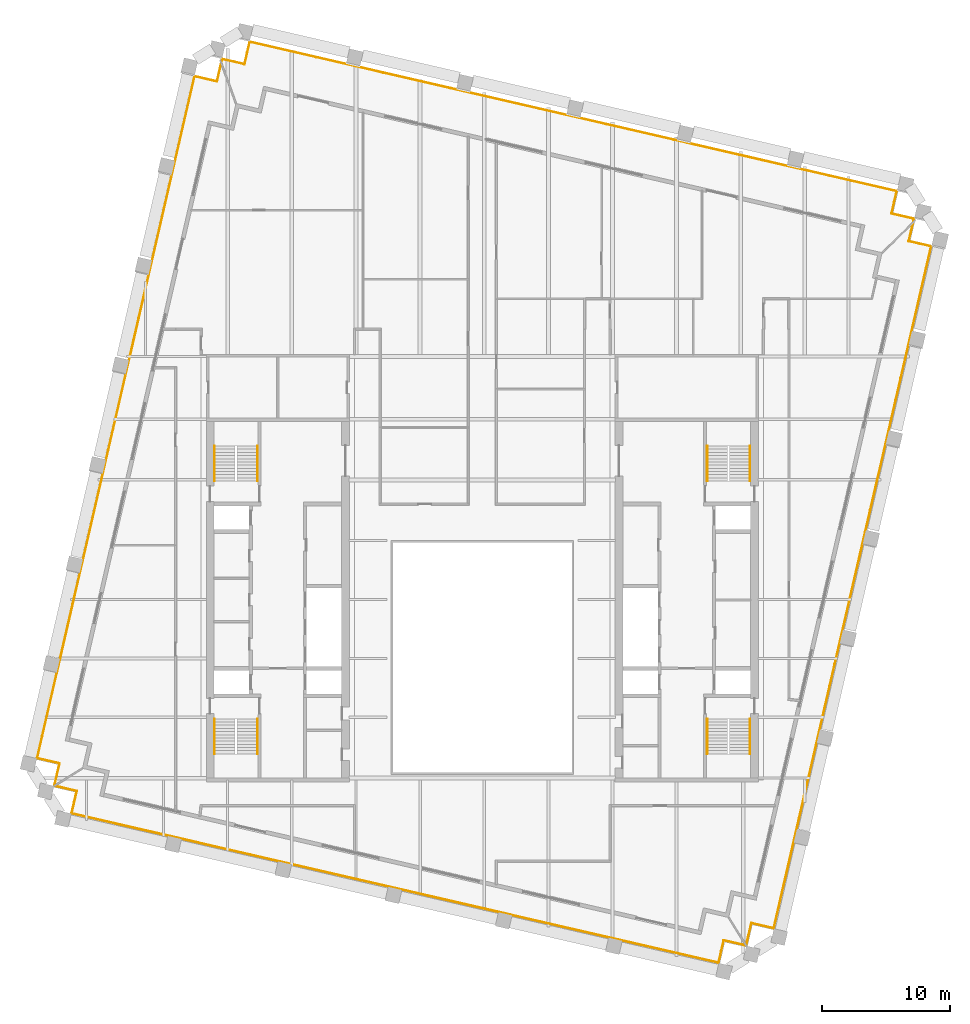
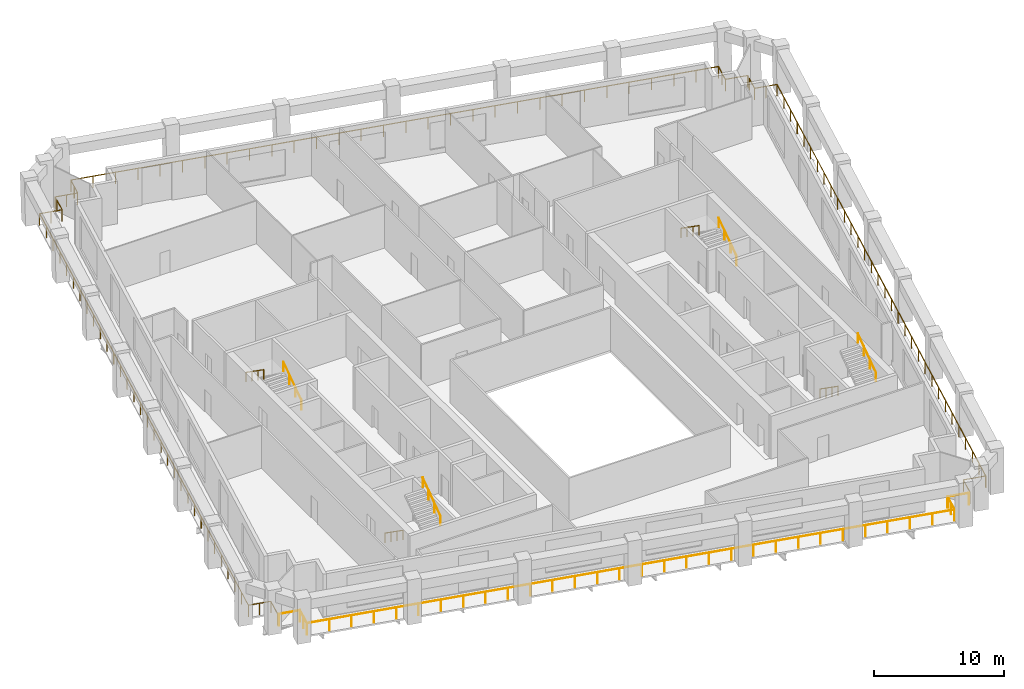
# One storey, part 10 of 10: 12 railings.
"""IFC4 building model written with IfcOpenShell, lengths in metres."""

from ifc_helpers import new_model, si_unit, direction, frame, origin, origin_2d, place, context, subcontext, project, spatial, circle, extrude, material, type_object, element, save


model = new_model("IFC4")

# Units and contexts
model_context = context("Model", 3, precision=1e-05, world=origin(), true_north=direction((0.0, 1.0)))
body_context = subcontext(model_context, "Body", "Model", "MODEL_VIEW")
ifc_project = project(units=[si_unit("LENGTHUNIT", "METRE"), si_unit("AREAUNIT", "SQUARE_METRE"), si_unit("VOLUMEUNIT", "CUBIC_METRE"), si_unit("PLANEANGLEUNIT", "RADIAN"), si_unit("MASSUNIT", "GRAM", prefix="KILO")], contexts=[model_context])

# Site, building, storey
site_placement = place(None, origin())
site = spatial("IfcSite", under=ifc_project, at=site_placement, CompositionType="ELEMENT")
building_placement = place(site_placement, origin())
building = spatial("IfcBuilding", under=site, at=building_placement, Name="Ogive Exchange Tower", CompositionType="ELEMENT")
storey_placement = place(building_placement, frame((0.0, 0.0, 251.39990234375)))
storey = spatial("IfcBuildingStorey", under=building, at=storey_placement, Name="L54", CompositionType="ELEMENT", Elevation=251.39990234375)

# Railings
ifc_material_1 = material(Name="Stainless steel 316", Category="steel")
railing_type_1 = type_object("IfcRailingType", Name="Guard 1100 stainless steel and glass", PredefinedType="GUARDRAIL", material=ifc_material_1)
railing_1_placement = place(storey_placement, frame((20.560546875, -15.527099609375, -0.0498046875)))
element("IfcRailing", 1, at=railing_1_placement, inside=storey, type_object=railing_type_1, Name="Loggia guard 1", PredefinedType="GUARDRAIL", context=body_context, shape_type="SweptSolid", body=[
    extrude(circle(Radius=0.02392578125, at=origin_2d()), frame((0.0, 0.0, 1.076171875), z_axis=(-0.974396013545, 0.224838628327, 0.0), x_axis=(-0.224838628327, -0.974396013545, 0.0)), (0.0, 0.0, 1.0), 1.7080078125),
    extrude(circle(Radius=0.02392578125, at=origin_2d()), frame((-1.664306640625, 0.384033203125, 1.076171875), z_axis=(-0.224879318197, -0.974386623598, 0.0), x_axis=(0.974386623598, -0.224879318197, 0.0)), (0.0, 0.0, 1.0), 1.800048828125),
    extrude(circle(Radius=0.02392578125, at=origin_2d()), frame((-2.069091796875, -1.369873046875, 1.076171875), z_axis=(-0.974370126852, 0.224950785504, 0.0), x_axis=(-0.224950785504, -0.974370126852, 0.0)), (0.0, 0.0, 1.0), 51.960205078125),
    extrude(circle(Radius=0.02392578125, at=origin_2d()), frame((-52.697509765625, 10.318603515625, 1.076171875), z_axis=(0.225008086135, 0.974356896201, 0.0), x_axis=(-0.974356896201, 0.225008086135, 0.0)), (0.0, 0.0, 1.0), 1.800048828125),
    extrude(circle(Radius=0.02392578125, at=origin_2d()), frame((-52.29248046875, 12.072509765625, 1.076171875), z_axis=(-0.974364690374, 0.224974332206, 0.0), x_axis=(-0.224974332206, -0.974364690374, 0.0)), (0.0, 0.0, 1.0), 1.7080078125),
    extrude(circle(Radius=0.02099609375, at=origin_2d()), origin(), (0.0, 0.0, 1.0), 1.052001953125),
    extrude(circle(Radius=0.02099609375, at=origin_2d()), frame((-1.664306640625, 0.384033203125, 0.0)), (0.0, 0.0, 1.0), 1.052001953125),
    extrude(circle(Radius=0.02099609375, at=origin_2d()), frame((-1.86669921875, -0.492919921875, 0.0)), (0.0, 0.0, 1.0), 1.052001953125),
    extrude(circle(Radius=0.02099609375, at=origin_2d()), frame((-2.069091796875, -1.369873046875, 0.0)), (0.0, 0.0, 1.0), 1.052001953125),
    extrude(circle(Radius=0.02099609375, at=origin_2d()), frame((-3.81494140625, -0.966796875, 0.0)), (0.0, 0.0, 1.0), 1.052001953125),
    extrude(circle(Radius=0.02099609375, at=origin_2d()), frame((-5.560791015625, -0.563720703125, 0.0)), (0.0, 0.0, 1.0), 1.052001953125),
    extrude(circle(Radius=0.02099609375, at=origin_2d()), frame((-7.306396484375, -0.16064453125, 0.0)), (0.0, 0.0, 1.0), 1.052001953125),
    extrude(circle(Radius=0.02099609375, at=origin_2d()), frame((-9.05224609375, 0.242431640625, 0.0)), (0.0, 0.0, 1.0), 1.052001953125),
    extrude(circle(Radius=0.02099609375, at=origin_2d()), frame((-10.798095703125, 0.645263671875, 0.0)), (0.0, 0.0, 1.0), 1.052001953125),
    extrude(circle(Radius=0.02099609375, at=origin_2d()), frame((-12.5439453125, 1.04833984375, 0.0)), (0.0, 0.0, 1.0), 1.052001953125),
    extrude(circle(Radius=0.02099609375, at=origin_2d()), frame((-14.289794921875, 1.451416015625, 0.0)), (0.0, 0.0, 1.0), 1.052001953125),
    extrude(circle(Radius=0.02099609375, at=origin_2d()), frame((-16.03564453125, 1.8544921875, 0.0)), (0.0, 0.0, 1.0), 1.052001953125),
    extrude(circle(Radius=0.02099609375, at=origin_2d()), frame((-17.78125, 2.257568359375, 0.0)), (0.0, 0.0, 1.0), 1.052001953125),
    extrude(circle(Radius=0.02099609375, at=origin_2d()), frame((-19.527099609375, 2.66064453125, 0.0)), (0.0, 0.0, 1.0), 1.052001953125),
    extrude(circle(Radius=0.02099609375, at=origin_2d()), frame((-21.27294921875, 3.063720703125, 0.0)), (0.0, 0.0, 1.0), 1.052001953125),
    extrude(circle(Radius=0.02099609375, at=origin_2d()), frame((-23.018798828125, 3.466796875, 0.0)), (0.0, 0.0, 1.0), 1.052001953125),
    extrude(circle(Radius=0.02099609375, at=origin_2d()), frame((-24.7646484375, 3.869873046875, 0.0)), (0.0, 0.0, 1.0), 1.052001953125),
    extrude(circle(Radius=0.02099609375, at=origin_2d()), frame((-26.510498046875, 4.27294921875, 0.0)), (0.0, 0.0, 1.0), 1.052001953125),
    extrude(circle(Radius=0.02099609375, at=origin_2d()), frame((-28.256103515625, 4.67578125, 0.0)), (0.0, 0.0, 1.0), 1.052001953125),
    extrude(circle(Radius=0.02099609375, at=origin_2d()), frame((-30.001953125, 5.078857421875, 0.0)), (0.0, 0.0, 1.0), 1.052001953125),
    extrude(circle(Radius=0.02099609375, at=origin_2d()), frame((-31.747802734375, 5.48193359375, 0.0)), (0.0, 0.0, 1.0), 1.052001953125),
    extrude(circle(Radius=0.02099609375, at=origin_2d()), frame((-33.49365234375, 5.885009765625, 0.0)), (0.0, 0.0, 1.0), 1.052001953125),
    extrude(circle(Radius=0.02099609375, at=origin_2d()), frame((-35.239501953125, 6.2880859375, 0.0)), (0.0, 0.0, 1.0), 1.052001953125),
    extrude(circle(Radius=0.02099609375, at=origin_2d()), frame((-36.9853515625, 6.691162109375, 0.0)), (0.0, 0.0, 1.0), 1.052001953125),
    extrude(circle(Radius=0.02099609375, at=origin_2d()), frame((-38.73095703125, 7.09423828125, 0.0)), (0.0, 0.0, 1.0), 1.052001953125),
    extrude(circle(Radius=0.02099609375, at=origin_2d()), frame((-40.476806640625, 7.497314453125, 0.0)), (0.0, 0.0, 1.0), 1.052001953125),
    extrude(circle(Radius=0.02099609375, at=origin_2d()), frame((-42.22265625, 7.900390625, 0.0)), (0.0, 0.0, 1.0), 1.052001953125),
    extrude(circle(Radius=0.02099609375, at=origin_2d()), frame((-43.968505859375, 8.303466796875, 0.0)), (0.0, 0.0, 1.0), 1.052001953125),
    extrude(circle(Radius=0.02099609375, at=origin_2d()), frame((-45.71435546875, 8.706298828125, 0.0)), (0.0, 0.0, 1.0), 1.052001953125),
    extrude(circle(Radius=0.02099609375, at=origin_2d()), frame((-47.460205078125, 9.109375, 0.0)), (0.0, 0.0, 1.0), 1.052001953125),
    extrude(circle(Radius=0.02099609375, at=origin_2d()), frame((-49.205810546875, 9.512451171875, 0.0)), (0.0, 0.0, 1.0), 1.052001953125),
    extrude(circle(Radius=0.02099609375, at=origin_2d()), frame((-50.95166015625, 9.91552734375, 0.0)), (0.0, 0.0, 1.0), 1.052001953125),
    extrude(circle(Radius=0.02099609375, at=origin_2d()), frame((-52.697509765625, 10.318603515625, 0.0)), (0.0, 0.0, 1.0), 1.052001953125),
    extrude(circle(Radius=0.02099609375, at=origin_2d()), frame((-52.4951171875, 11.195556640625, 0.0)), (0.0, 0.0, 1.0), 1.052001953125),
    extrude(circle(Radius=0.02099609375, at=origin_2d()), frame((-52.29248046875, 12.072509765625, 0.0)), (0.0, 0.0, 1.0), 1.052001953125),
    extrude(circle(Radius=0.02099609375, at=origin_2d()), frame((-53.956787109375, 12.456787109375, 0.0)), (0.0, 0.0, 1.0), 1.052001953125),
])
railing_2_placement = place(storey_placement, frame((-33.465087890625, -2.960205078125, -0.0498046875)))
element("IfcRailing", 2, at=railing_2_placement, inside=storey, type_object=railing_type_1, Name="Loggia guard 2", PredefinedType="GUARDRAIL", context=body_context, shape_type="SweptSolid", body=[
    extrude(circle(Radius=0.02392578125, at=origin_2d()), frame((0.0, 0.0, 1.076171875), z_axis=(0.224974332206, 0.974364690374, 0.0), x_axis=(-0.974364690374, 0.224974332206, 0.0)), (0.0, 0.0, 1.0), 1.7080078125),
    extrude(circle(Radius=0.02392578125, at=origin_2d()), frame((0.38427734375, 1.664306640625, 1.076171875), z_axis=(-0.974356896201, 0.225008086135, 0.0), x_axis=(-0.225008086135, -0.974356896201, 0.0)), (0.0, 0.0, 1.0), 1.800048828125),
    extrude(circle(Radius=0.02392578125, at=origin_2d()), frame((-1.36962890625, 2.0693359375, 1.076171875), z_axis=(0.224949685031, 0.974370380915, 0.0), x_axis=(-0.974370380915, 0.224949685031, 0.0)), (0.0, 0.0, 1.0), 54.769287109375),
    extrude(circle(Radius=0.02392578125, at=origin_2d()), frame((10.95068359375, 55.434814453125, 1.076171875), z_axis=(0.974356896201, -0.225008086135, 0.0), x_axis=(0.225008086135, 0.974356896201, 0.0)), (0.0, 0.0, 1.0), 1.800048828125),
    extrude(circle(Radius=0.02392578125, at=origin_2d()), frame((12.70458984375, 55.02978515625, 1.076171875), z_axis=(0.225002737729, 0.974358131292, 0.0), x_axis=(-0.974358131292, 0.225002737729, 0.0)), (0.0, 0.0, 1.0), 1.369384765625),
    extrude(circle(Radius=0.02099609375, at=origin_2d()), origin(), (0.0, 0.0, 1.0), 1.052001953125),
    extrude(circle(Radius=0.02099609375, at=origin_2d()), frame((0.38427734375, 1.664306640625, 0.0)), (0.0, 0.0, 1.0), 1.052001953125),
    extrude(circle(Radius=0.02099609375, at=origin_2d()), frame((-0.49267578125, 1.86669921875, 0.0)), (0.0, 0.0, 1.0), 1.052001953125),
    extrude(circle(Radius=0.02099609375, at=origin_2d()), frame((-1.36962890625, 2.0693359375, 0.0)), (0.0, 0.0, 1.0), 1.052001953125),
    extrude(circle(Radius=0.02099609375, at=origin_2d()), frame((-0.97216796875, 3.790771484375, 0.0)), (0.0, 0.0, 1.0), 1.052001953125),
    extrude(circle(Radius=0.02099609375, at=origin_2d()), frame((-0.57470703125, 5.51220703125, 0.0)), (0.0, 0.0, 1.0), 1.052001953125),
    extrude(circle(Radius=0.02099609375, at=origin_2d()), frame((-0.17724609375, 7.233642578125, 0.0)), (0.0, 0.0, 1.0), 1.052001953125),
    extrude(circle(Radius=0.02099609375, at=origin_2d()), frame((0.219970703125, 8.955322265625, 0.0)), (0.0, 0.0, 1.0), 1.052001953125),
    extrude(circle(Radius=0.02099609375, at=origin_2d()), frame((0.617431640625, 10.6767578125, 0.0)), (0.0, 0.0, 1.0), 1.052001953125),
    extrude(circle(Radius=0.02099609375, at=origin_2d()), frame((1.014892578125, 12.398193359375, 0.0)), (0.0, 0.0, 1.0), 1.052001953125),
    extrude(circle(Radius=0.02099609375, at=origin_2d()), frame((1.412353515625, 14.11962890625, 0.0)), (0.0, 0.0, 1.0), 1.052001953125),
    extrude(circle(Radius=0.02099609375, at=origin_2d()), frame((1.809814453125, 15.841064453125, 0.0)), (0.0, 0.0, 1.0), 1.052001953125),
    extrude(circle(Radius=0.02099609375, at=origin_2d()), frame((2.207275390625, 17.5625, 0.0)), (0.0, 0.0, 1.0), 1.052001953125),
    extrude(circle(Radius=0.02099609375, at=origin_2d()), frame((2.604736328125, 19.283935546875, 0.0)), (0.0, 0.0, 1.0), 1.052001953125),
    extrude(circle(Radius=0.02099609375, at=origin_2d()), frame((3.002197265625, 21.00537109375, 0.0)), (0.0, 0.0, 1.0), 1.052001953125),
    extrude(circle(Radius=0.02099609375, at=origin_2d()), frame((3.3994140625, 22.72705078125, 0.0)), (0.0, 0.0, 1.0), 1.052001953125),
    extrude(circle(Radius=0.02099609375, at=origin_2d()), frame((3.796875, 24.448486328125, 0.0)), (0.0, 0.0, 1.0), 1.052001953125),
    extrude(circle(Radius=0.02099609375, at=origin_2d()), frame((4.1943359375, 26.169921875, 0.0)), (0.0, 0.0, 1.0), 1.052001953125),
    extrude(circle(Radius=0.02099609375, at=origin_2d()), frame((4.591796875, 27.891357421875, 0.0)), (0.0, 0.0, 1.0), 1.052001953125),
    extrude(circle(Radius=0.02099609375, at=origin_2d()), frame((4.9892578125, 29.61279296875, 0.0)), (0.0, 0.0, 1.0), 1.052001953125),
    extrude(circle(Radius=0.02099609375, at=origin_2d()), frame((5.38671875, 31.334228515625, 0.0)), (0.0, 0.0, 1.0), 1.052001953125),
    extrude(circle(Radius=0.02099609375, at=origin_2d()), frame((5.7841796875, 33.0556640625, 0.0)), (0.0, 0.0, 1.0), 1.052001953125),
    extrude(circle(Radius=0.02099609375, at=origin_2d()), frame((6.181640625, 34.777099609375, 0.0)), (0.0, 0.0, 1.0), 1.052001953125),
    extrude(circle(Radius=0.02099609375, at=origin_2d()), frame((6.578857421875, 36.498779296875, 0.0)), (0.0, 0.0, 1.0), 1.052001953125),
    extrude(circle(Radius=0.02099609375, at=origin_2d()), frame((6.976318359375, 38.22021484375, 0.0)), (0.0, 0.0, 1.0), 1.052001953125),
    extrude(circle(Radius=0.02099609375, at=origin_2d()), frame((7.373779296875, 39.941650390625, 0.0)), (0.0, 0.0, 1.0), 1.052001953125),
    extrude(circle(Radius=0.02099609375, at=origin_2d()), frame((7.771240234375, 41.6630859375, 0.0)), (0.0, 0.0, 1.0), 1.052001953125),
    extrude(circle(Radius=0.02099609375, at=origin_2d()), frame((8.168701171875, 43.384521484375, 0.0)), (0.0, 0.0, 1.0), 1.052001953125),
    extrude(circle(Radius=0.02099609375, at=origin_2d()), frame((8.566162109375, 45.10595703125, 0.0)), (0.0, 0.0, 1.0), 1.052001953125),
    extrude(circle(Radius=0.02099609375, at=origin_2d()), frame((8.963623046875, 46.827392578125, 0.0)), (0.0, 0.0, 1.0), 1.052001953125),
    extrude(circle(Radius=0.02099609375, at=origin_2d()), frame((9.361083984375, 48.548828125, 0.0)), (0.0, 0.0, 1.0), 1.052001953125),
    extrude(circle(Radius=0.02099609375, at=origin_2d()), frame((9.75830078125, 50.2705078125, 0.0)), (0.0, 0.0, 1.0), 1.052001953125),
    extrude(circle(Radius=0.02099609375, at=origin_2d()), frame((10.15576171875, 51.991943359375, 0.0)), (0.0, 0.0, 1.0), 1.052001953125),
    extrude(circle(Radius=0.02099609375, at=origin_2d()), frame((10.55322265625, 53.71337890625, 0.0)), (0.0, 0.0, 1.0), 1.052001953125),
    extrude(circle(Radius=0.02099609375, at=origin_2d()), frame((10.95068359375, 55.434814453125, 0.0)), (0.0, 0.0, 1.0), 1.052001953125),
    extrude(circle(Radius=0.02099609375, at=origin_2d()), frame((11.82763671875, 55.232421875, 0.0)), (0.0, 0.0, 1.0), 1.052001953125),
    extrude(circle(Radius=0.02099609375, at=origin_2d()), frame((12.70458984375, 55.02978515625, 0.0)), (0.0, 0.0, 1.0), 1.052001953125),
    extrude(circle(Radius=0.02099609375, at=origin_2d()), frame((13.0126953125, 56.364013671875, 0.0)), (0.0, 0.0, 1.0), 1.052001953125),
])
railing_3_placement = place(storey_placement, frame((-20.398681640625, 53.63720703125, -0.0498046875)))
element("IfcRailing", 3, at=railing_3_placement, inside=storey, type_object=railing_type_1, Name="Loggia guard 3", PredefinedType="GUARDRAIL", context=body_context, shape_type="SweptSolid", body=[
    extrude(circle(Radius=0.02392578125, at=origin_2d()), frame((0.0, 0.0, 1.076171875), z_axis=(0.224766235716, 0.974412715066, 0.0), x_axis=(-0.974412715066, 0.224766235716, 0.0)), (0.0, 0.0, 1.0), 0.191162109375),
    extrude(circle(Radius=0.02392578125, at=origin_2d()), frame((0.04296875, 0.186279296875, 1.076171875), z_axis=(0.974356896201, -0.225008086135, 0.0), x_axis=(0.225008086135, 0.974356896201, 0.0)), (0.0, 0.0, 1.0), 1.800048828125),
    extrude(circle(Radius=0.02392578125, at=origin_2d()), frame((1.796875, -0.21875, 1.076171875), z_axis=(0.224879318197, 0.974386623598, 0.0), x_axis=(-0.974386623598, 0.224879318197, 0.0)), (0.0, 0.0, 1.0), 1.800048828125),
    extrude(circle(Radius=0.02392578125, at=origin_2d()), frame((2.20166015625, 1.53515625, 1.076171875), z_axis=(0.974370126852, -0.224950785504, 0.0), x_axis=(0.224950785504, 0.974370126852, 0.0)), (0.0, 0.0, 1.0), 51.960205078125),
    extrude(circle(Radius=0.02392578125, at=origin_2d()), frame((52.830078125, -10.1533203125, 1.076171875), z_axis=(-0.224879318197, -0.974386623598, 0.0), x_axis=(0.974386623598, -0.224879318197, 0.0)), (0.0, 0.0, 1.0), 1.800048828125),
    extrude(circle(Radius=0.02392578125, at=origin_2d()), frame((52.42529296875, -11.9072265625, 1.076171875), z_axis=(0.974379763188, -0.224909041816, 0.0), x_axis=(0.224909041816, 0.974379763188, 0.0)), (0.0, 0.0, 1.0), 1.7998046875),
    extrude(circle(Radius=0.02392578125, at=origin_2d()), frame((54.178955078125, -12.31201171875, 1.076171875), z_axis=(-0.224766235716, -0.974412715066, 0.0), x_axis=(0.974412715066, -0.224766235716, 0.0)), (0.0, 0.0, 1.0), 0.191162109375),
    extrude(circle(Radius=0.02099609375, at=origin_2d()), origin(), (0.0, 0.0, 1.0), 1.052001953125),
    extrude(circle(Radius=0.02099609375, at=origin_2d()), frame((0.04296875, 0.186279296875, 0.0)), (0.0, 0.0, 1.0), 1.052001953125),
    extrude(circle(Radius=0.02099609375, at=origin_2d()), frame((0.919921875, -0.01611328125, 0.0)), (0.0, 0.0, 1.0), 1.052001953125),
    extrude(circle(Radius=0.02099609375, at=origin_2d()), frame((1.796875, -0.21875, 0.0)), (0.0, 0.0, 1.0), 1.052001953125),
    extrude(circle(Radius=0.02099609375, at=origin_2d()), frame((1.999267578125, 0.658203125, 0.0)), (0.0, 0.0, 1.0), 1.052001953125),
    extrude(circle(Radius=0.02099609375, at=origin_2d()), frame((2.20166015625, 1.53515625, 0.0)), (0.0, 0.0, 1.0), 1.052001953125),
    extrude(circle(Radius=0.02099609375, at=origin_2d()), frame((3.947509765625, 1.132080078125, 0.0)), (0.0, 0.0, 1.0), 1.052001953125),
    extrude(circle(Radius=0.02099609375, at=origin_2d()), frame((5.693359375, 0.72900390625, 0.0)), (0.0, 0.0, 1.0), 1.052001953125),
    extrude(circle(Radius=0.02099609375, at=origin_2d()), frame((7.43896484375, 0.325927734375, 0.0)), (0.0, 0.0, 1.0), 1.052001953125),
    extrude(circle(Radius=0.02099609375, at=origin_2d()), frame((9.184814453125, -0.0771484375, 0.0)), (0.0, 0.0, 1.0), 1.052001953125),
    extrude(circle(Radius=0.02099609375, at=origin_2d()), frame((10.9306640625, -0.47998046875, 0.0)), (0.0, 0.0, 1.0), 1.052001953125),
    extrude(circle(Radius=0.02099609375, at=origin_2d()), frame((12.676513671875, -0.883056640625, 0.0)), (0.0, 0.0, 1.0), 1.052001953125),
    extrude(circle(Radius=0.02099609375, at=origin_2d()), frame((14.42236328125, -1.2861328125, 0.0)), (0.0, 0.0, 1.0), 1.052001953125),
    extrude(circle(Radius=0.02099609375, at=origin_2d()), frame((16.168212890625, -1.689208984375, 0.0)), (0.0, 0.0, 1.0), 1.052001953125),
    extrude(circle(Radius=0.02099609375, at=origin_2d()), frame((17.913818359375, -2.09228515625, 0.0)), (0.0, 0.0, 1.0), 1.052001953125),
    extrude(circle(Radius=0.02099609375, at=origin_2d()), frame((19.65966796875, -2.495361328125, 0.0)), (0.0, 0.0, 1.0), 1.052001953125),
    extrude(circle(Radius=0.02099609375, at=origin_2d()), frame((21.405517578125, -2.8984375, 0.0)), (0.0, 0.0, 1.0), 1.052001953125),
    extrude(circle(Radius=0.02099609375, at=origin_2d()), frame((23.1513671875, -3.301513671875, 0.0)), (0.0, 0.0, 1.0), 1.052001953125),
    extrude(circle(Radius=0.02099609375, at=origin_2d()), frame((24.897216796875, -3.70458984375, 0.0)), (0.0, 0.0, 1.0), 1.052001953125),
    extrude(circle(Radius=0.02099609375, at=origin_2d()), frame((26.64306640625, -4.107666015625, 0.0)), (0.0, 0.0, 1.0), 1.052001953125),
    extrude(circle(Radius=0.02099609375, at=origin_2d()), frame((28.388671875, -4.510498046875, 0.0)), (0.0, 0.0, 1.0), 1.052001953125),
    extrude(circle(Radius=0.02099609375, at=origin_2d()), frame((30.134521484375, -4.91357421875, 0.0)), (0.0, 0.0, 1.0), 1.052001953125),
    extrude(circle(Radius=0.02099609375, at=origin_2d()), frame((31.88037109375, -5.316650390625, 0.0)), (0.0, 0.0, 1.0), 1.052001953125),
    extrude(circle(Radius=0.02099609375, at=origin_2d()), frame((33.626220703125, -5.7197265625, 0.0)), (0.0, 0.0, 1.0), 1.052001953125),
    extrude(circle(Radius=0.02099609375, at=origin_2d()), frame((35.3720703125, -6.122802734375, 0.0)), (0.0, 0.0, 1.0), 1.052001953125),
    extrude(circle(Radius=0.02099609375, at=origin_2d()), frame((37.117919921875, -6.52587890625, 0.0)), (0.0, 0.0, 1.0), 1.052001953125),
    extrude(circle(Radius=0.02099609375, at=origin_2d()), frame((38.863525390625, -6.928955078125, 0.0)), (0.0, 0.0, 1.0), 1.052001953125),
    extrude(circle(Radius=0.02099609375, at=origin_2d()), frame((40.609375, -7.33203125, 0.0)), (0.0, 0.0, 1.0), 1.052001953125),
    extrude(circle(Radius=0.02099609375, at=origin_2d()), frame((42.355224609375, -7.735107421875, 0.0)), (0.0, 0.0, 1.0), 1.052001953125),
    extrude(circle(Radius=0.02099609375, at=origin_2d()), frame((44.10107421875, -8.13818359375, 0.0)), (0.0, 0.0, 1.0), 1.052001953125),
    extrude(circle(Radius=0.02099609375, at=origin_2d()), frame((45.846923828125, -8.541015625, 0.0)), (0.0, 0.0, 1.0), 1.052001953125),
    extrude(circle(Radius=0.02099609375, at=origin_2d()), frame((47.5927734375, -8.944091796875, 0.0)), (0.0, 0.0, 1.0), 1.052001953125),
    extrude(circle(Radius=0.02099609375, at=origin_2d()), frame((49.33837890625, -9.34716796875, 0.0)), (0.0, 0.0, 1.0), 1.052001953125),
    extrude(circle(Radius=0.02099609375, at=origin_2d()), frame((51.084228515625, -9.750244140625, 0.0)), (0.0, 0.0, 1.0), 1.052001953125),
    extrude(circle(Radius=0.02099609375, at=origin_2d()), frame((52.830078125, -10.1533203125, 0.0)), (0.0, 0.0, 1.0), 1.052001953125),
    extrude(circle(Radius=0.02099609375, at=origin_2d()), frame((52.627685546875, -11.0302734375, 0.0)), (0.0, 0.0, 1.0), 1.052001953125),
    extrude(circle(Radius=0.02099609375, at=origin_2d()), frame((52.42529296875, -11.9072265625, 0.0)), (0.0, 0.0, 1.0), 1.052001953125),
    extrude(circle(Radius=0.02099609375, at=origin_2d()), frame((54.178955078125, -12.31201171875, 0.0)), (0.0, 0.0, 1.0), 1.052001953125),
    extrude(circle(Radius=0.02099609375, at=origin_2d()), frame((54.135986328125, -12.498291015625, 0.0)), (0.0, 0.0, 1.0), 1.052001953125),
])
railing_4_placement = place(storey_placement, frame((33.68359375, 40.90576171875, -0.0498046875)))
element("IfcRailing", 4, at=railing_4_placement, inside=storey, type_object=railing_type_1, Name="Loggia guard 4", PredefinedType="GUARDRAIL", context=body_context, shape_type="SweptSolid", body=[
    extrude(circle(Radius=0.02392578125, at=origin_2d()), frame((0.0, 0.0, 1.076171875), z_axis=(-0.22496365711, -0.974367155122, 0.0), x_axis=(0.974367155122, -0.22496365711, 0.0)), (0.0, 0.0, 1.0), 1.36962890625),
    extrude(circle(Radius=0.02392578125, at=origin_2d()), frame((-0.30810546875, -1.33447265625, 1.076171875), z_axis=(0.974386623598, -0.224879318197, 0.0), x_axis=(0.224879318197, 0.974386623598, 0.0)), (0.0, 0.0, 1.0), 1.800048828125),
    extrude(circle(Radius=0.02392578125, at=origin_2d()), frame((1.44580078125, -1.7392578125, 1.076171875), z_axis=(-0.224953917085, -0.974369403865, 0.0), x_axis=(0.974369403865, -0.224953917085, 0.0)), (0.0, 0.0, 1.0), 54.769287109375),
    extrude(circle(Radius=0.02392578125, at=origin_2d()), frame((-10.874755859375, -55.104736328125, 1.076171875), z_axis=(-0.974379763188, 0.224909041816, 0.0), x_axis=(-0.224909041816, -0.974379763188, 0.0)), (0.0, 0.0, 1.0), 1.7998046875),
    extrude(circle(Radius=0.02392578125, at=origin_2d()), frame((-12.62841796875, -54.699951171875, 1.076171875), z_axis=(-0.224974332206, -0.974364690374, 0.0), x_axis=(0.974364690374, -0.224974332206, 0.0)), (0.0, 0.0, 1.0), 1.7080078125),
    extrude(circle(Radius=0.02099609375, at=origin_2d()), origin(), (0.0, 0.0, 1.0), 1.052001953125),
    extrude(circle(Radius=0.02099609375, at=origin_2d()), frame((-0.30810546875, -1.33447265625, 0.0)), (0.0, 0.0, 1.0), 1.052001953125),
    extrude(circle(Radius=0.02099609375, at=origin_2d()), frame((0.56884765625, -1.536865234375, 0.0)), (0.0, 0.0, 1.0), 1.052001953125),
    extrude(circle(Radius=0.02099609375, at=origin_2d()), frame((1.44580078125, -1.7392578125, 0.0)), (0.0, 0.0, 1.0), 1.052001953125),
    extrude(circle(Radius=0.02099609375, at=origin_2d()), frame((1.04833984375, -3.460693359375, 0.0)), (0.0, 0.0, 1.0), 1.052001953125),
    extrude(circle(Radius=0.02099609375, at=origin_2d()), frame((0.65087890625, -5.18212890625, 0.0)), (0.0, 0.0, 1.0), 1.052001953125),
    extrude(circle(Radius=0.02099609375, at=origin_2d()), frame((0.25341796875, -6.903564453125, 0.0)), (0.0, 0.0, 1.0), 1.052001953125),
    extrude(circle(Radius=0.02099609375, at=origin_2d()), frame((-0.14404296875, -8.625244140625, 0.0)), (0.0, 0.0, 1.0), 1.052001953125),
    extrude(circle(Radius=0.02099609375, at=origin_2d()), frame((-0.54150390625, -10.3466796875, 0.0)), (0.0, 0.0, 1.0), 1.052001953125),
    extrude(circle(Radius=0.02099609375, at=origin_2d()), frame((-0.938720703125, -12.068115234375, 0.0)), (0.0, 0.0, 1.0), 1.052001953125),
    extrude(circle(Radius=0.02099609375, at=origin_2d()), frame((-1.336181640625, -13.78955078125, 0.0)), (0.0, 0.0, 1.0), 1.052001953125),
    extrude(circle(Radius=0.02099609375, at=origin_2d()), frame((-1.733642578125, -15.510986328125, 0.0)), (0.0, 0.0, 1.0), 1.052001953125),
    extrude(circle(Radius=0.02099609375, at=origin_2d()), frame((-2.131103515625, -17.232421875, 0.0)), (0.0, 0.0, 1.0), 1.052001953125),
    extrude(circle(Radius=0.02099609375, at=origin_2d()), frame((-2.528564453125, -18.953857421875, 0.0)), (0.0, 0.0, 1.0), 1.052001953125),
    extrude(circle(Radius=0.02099609375, at=origin_2d()), frame((-2.926025390625, -20.67529296875, 0.0)), (0.0, 0.0, 1.0), 1.052001953125),
    extrude(circle(Radius=0.02099609375, at=origin_2d()), frame((-3.323486328125, -22.39697265625, 0.0)), (0.0, 0.0, 1.0), 1.052001953125),
    extrude(circle(Radius=0.02099609375, at=origin_2d()), frame((-3.720947265625, -24.118408203125, 0.0)), (0.0, 0.0, 1.0), 1.052001953125),
    extrude(circle(Radius=0.02099609375, at=origin_2d()), frame((-4.118408203125, -25.83984375, 0.0)), (0.0, 0.0, 1.0), 1.052001953125),
    extrude(circle(Radius=0.02099609375, at=origin_2d()), frame((-4.515869140625, -27.561279296875, 0.0)), (0.0, 0.0, 1.0), 1.052001953125),
    extrude(circle(Radius=0.02099609375, at=origin_2d()), frame((-4.9130859375, -29.28271484375, 0.0)), (0.0, 0.0, 1.0), 1.052001953125),
    extrude(circle(Radius=0.02099609375, at=origin_2d()), frame((-5.310546875, -31.004150390625, 0.0)), (0.0, 0.0, 1.0), 1.052001953125),
    extrude(circle(Radius=0.02099609375, at=origin_2d()), frame((-5.7080078125, -32.7255859375, 0.0)), (0.0, 0.0, 1.0), 1.052001953125),
    extrude(circle(Radius=0.02099609375, at=origin_2d()), frame((-6.10546875, -34.447021484375, 0.0)), (0.0, 0.0, 1.0), 1.052001953125),
    extrude(circle(Radius=0.02099609375, at=origin_2d()), frame((-6.5029296875, -36.168701171875, 0.0)), (0.0, 0.0, 1.0), 1.052001953125),
    extrude(circle(Radius=0.02099609375, at=origin_2d()), frame((-6.900390625, -37.89013671875, 0.0)), (0.0, 0.0, 1.0), 1.052001953125),
    extrude(circle(Radius=0.02099609375, at=origin_2d()), frame((-7.2978515625, -39.611572265625, 0.0)), (0.0, 0.0, 1.0), 1.052001953125),
    extrude(circle(Radius=0.02099609375, at=origin_2d()), frame((-7.6953125, -41.3330078125, 0.0)), (0.0, 0.0, 1.0), 1.052001953125),
    extrude(circle(Radius=0.02099609375, at=origin_2d()), frame((-8.0927734375, -43.054443359375, 0.0)), (0.0, 0.0, 1.0), 1.052001953125),
    extrude(circle(Radius=0.02099609375, at=origin_2d()), frame((-8.490234375, -44.77587890625, 0.0)), (0.0, 0.0, 1.0), 1.052001953125),
    extrude(circle(Radius=0.02099609375, at=origin_2d()), frame((-8.887451171875, -46.497314453125, 0.0)), (0.0, 0.0, 1.0), 1.052001953125),
    extrude(circle(Radius=0.02099609375, at=origin_2d()), frame((-9.284912109375, -48.21875, 0.0)), (0.0, 0.0, 1.0), 1.052001953125),
    extrude(circle(Radius=0.02099609375, at=origin_2d()), frame((-9.682373046875, -49.9404296875, 0.0)), (0.0, 0.0, 1.0), 1.052001953125),
    extrude(circle(Radius=0.02099609375, at=origin_2d()), frame((-10.079833984375, -51.661865234375, 0.0)), (0.0, 0.0, 1.0), 1.052001953125),
    extrude(circle(Radius=0.02099609375, at=origin_2d()), frame((-10.477294921875, -53.38330078125, 0.0)), (0.0, 0.0, 1.0), 1.052001953125),
    extrude(circle(Radius=0.02099609375, at=origin_2d()), frame((-10.874755859375, -55.104736328125, 0.0)), (0.0, 0.0, 1.0), 1.052001953125),
    extrude(circle(Radius=0.02099609375, at=origin_2d()), frame((-12.62841796875, -54.699951171875, 0.0)), (0.0, 0.0, 1.0), 1.052001953125),
    extrude(circle(Radius=0.02099609375, at=origin_2d()), frame((-13.0126953125, -56.3642578125, 0.0)), (0.0, 0.0, 1.0), 1.052001953125),
])
ifc_material_2 = material(Name="Stainless steel", Category="steel")
railing_type_2 = type_object("IfcRailingType", Name="Stair handrail 900", PredefinedType="HANDRAIL", material=ifc_material_2)
railing_5_placement = place(storey_placement, frame((-20.949951171875, 2.199951171875, 0.175048828125)))
element("IfcRailing", 5, at=railing_5_placement, inside=storey, type_object=railing_type_2, Name="L54 ST1 stair handrail 1", PredefinedType="HANDRAIL", context=body_context, shape_type="SweptSolid", body=[
    extrude(circle(Radius=0.02392578125, at=origin_2d()), frame((0.0, 0.0, 0.8759765625), z_axis=(0.0, -0.819225086817, 0.573472106672), x_axis=(1.0, 0.0, 0.0)), (0.0, 0.0, 1.0), 3.35693359375),
    extrude(circle(Radius=0.02099609375, at=origin_2d()), origin(), (0.0, 0.0, 1.0), 0.851806640625),
    extrude(circle(Radius=0.02099609375, at=origin_2d()), frame((0.0, -0.916748046875, 0.6416015625)), (0.0, 0.0, 1.0), 0.851806640625),
    extrude(circle(Radius=0.02099609375, at=origin_2d()), frame((0.0, -1.833251953125, 1.283447265625)), (0.0, 0.0, 1.0), 0.851806640625),
    extrude(circle(Radius=0.02099609375, at=origin_2d()), frame((0.0, -2.75, 1.925048828125)), (0.0, 0.0, 1.0), 0.851806640625),
])
for number, where, name in (
    (6, (-17.60009765625, -0.550048828125, 2.275146484375), "L54 ST1 stair handrail 2"),
    (7, (-17.60009765625, 20.800048828125, 0.175048828125), "L54 ST2 stair handrail 1"),
):
    element("IfcRailing", number, at=place(storey_placement, frame(where)), inside=storey, type_object=railing_type_2, Name=name, PredefinedType="HANDRAIL", context=body_context, shape_type="SweptSolid", body=[
        extrude(circle(Radius=0.02392578125, at=origin_2d()), frame((0.0, 0.0, 0.8759765625), z_axis=(0.0, 0.819225086817, 0.573472106672), x_axis=(-1.0, 0.0, 0.0)), (0.0, 0.0, 1.0), 3.35693359375),
        extrude(circle(Radius=0.02099609375, at=origin_2d()), origin(), (0.0, 0.0, 1.0), 0.851806640625),
        extrude(circle(Radius=0.02099609375, at=origin_2d()), frame((0.0, 0.916748046875, 0.6416015625)), (0.0, 0.0, 1.0), 0.851806640625),
        extrude(circle(Radius=0.02099609375, at=origin_2d()), frame((0.0, 1.833251953125, 1.283447265625)), (0.0, 0.0, 1.0), 0.851806640625),
        extrude(circle(Radius=0.02099609375, at=origin_2d()), frame((0.0, 2.75, 1.925048828125)), (0.0, 0.0, 1.0), 0.851806640625),
    ])
for number, where, name in (
    (8, (-20.949951171875, 23.550048828125, 2.275146484375), "L54 ST2 stair handrail 2"),
    (9, (17.60009765625, 2.199951171875, 0.175048828125), "L54 ST3 stair handrail 1"),
):
    element("IfcRailing", number, at=place(storey_placement, frame(where)), inside=storey, type_object=railing_type_2, Name=name, PredefinedType="HANDRAIL", context=body_context, shape_type="SweptSolid", body=[
        extrude(circle(Radius=0.02392578125, at=origin_2d()), frame((0.0, 0.0, 0.8759765625), z_axis=(0.0, -0.819225086817, 0.573472106672), x_axis=(1.0, 0.0, 0.0)), (0.0, 0.0, 1.0), 3.35693359375),
        extrude(circle(Radius=0.02099609375, at=origin_2d()), origin(), (0.0, 0.0, 1.0), 0.851806640625),
        extrude(circle(Radius=0.02099609375, at=origin_2d()), frame((0.0, -0.916748046875, 0.6416015625)), (0.0, 0.0, 1.0), 0.851806640625),
        extrude(circle(Radius=0.02099609375, at=origin_2d()), frame((0.0, -1.833251953125, 1.283447265625)), (0.0, 0.0, 1.0), 0.851806640625),
        extrude(circle(Radius=0.02099609375, at=origin_2d()), frame((0.0, -2.75, 1.925048828125)), (0.0, 0.0, 1.0), 0.851806640625),
    ])
for number, where, name in (
    (10, (20.949951171875, -0.550048828125, 2.275146484375), "L54 ST3 stair handrail 2"),
    (11, (20.949951171875, 20.800048828125, 0.175048828125), "L54 ST4 stair handrail 1"),
):
    element("IfcRailing", number, at=place(storey_placement, frame(where)), inside=storey, type_object=railing_type_2, Name=name, PredefinedType="HANDRAIL", context=body_context, shape_type="SweptSolid", body=[
        extrude(circle(Radius=0.02392578125, at=origin_2d()), frame((0.0, 0.0, 0.8759765625), z_axis=(0.0, 0.819225086817, 0.573472106672), x_axis=(-1.0, 0.0, 0.0)), (0.0, 0.0, 1.0), 3.35693359375),
        extrude(circle(Radius=0.02099609375, at=origin_2d()), origin(), (0.0, 0.0, 1.0), 0.851806640625),
        extrude(circle(Radius=0.02099609375, at=origin_2d()), frame((0.0, 0.916748046875, 0.6416015625)), (0.0, 0.0, 1.0), 0.851806640625),
        extrude(circle(Radius=0.02099609375, at=origin_2d()), frame((0.0, 1.833251953125, 1.283447265625)), (0.0, 0.0, 1.0), 0.851806640625),
        extrude(circle(Radius=0.02099609375, at=origin_2d()), frame((0.0, 2.75, 1.925048828125)), (0.0, 0.0, 1.0), 0.851806640625),
    ])
railing_6_placement = place(storey_placement, frame((17.60009765625, 23.550048828125, 2.275146484375)))
element("IfcRailing", 12, at=railing_6_placement, inside=storey, type_object=railing_type_2, Name="L54 ST4 stair handrail 2", PredefinedType="HANDRAIL", context=body_context, shape_type="SweptSolid", body=[
    extrude(circle(Radius=0.02392578125, at=origin_2d()), frame((0.0, 0.0, 0.8759765625), z_axis=(0.0, -0.819225086817, 0.573472106672), x_axis=(1.0, 0.0, 0.0)), (0.0, 0.0, 1.0), 3.35693359375),
    extrude(circle(Radius=0.02099609375, at=origin_2d()), origin(), (0.0, 0.0, 1.0), 0.851806640625),
    extrude(circle(Radius=0.02099609375, at=origin_2d()), frame((0.0, -0.916748046875, 0.6416015625)), (0.0, 0.0, 1.0), 0.851806640625),
    extrude(circle(Radius=0.02099609375, at=origin_2d()), frame((0.0, -1.833251953125, 1.283447265625)), (0.0, 0.0, 1.0), 0.851806640625),
    extrude(circle(Radius=0.02099609375, at=origin_2d()), frame((0.0, -2.75, 1.925048828125)), (0.0, 0.0, 1.0), 0.851806640625),
])

save(model, "model.ifc")
